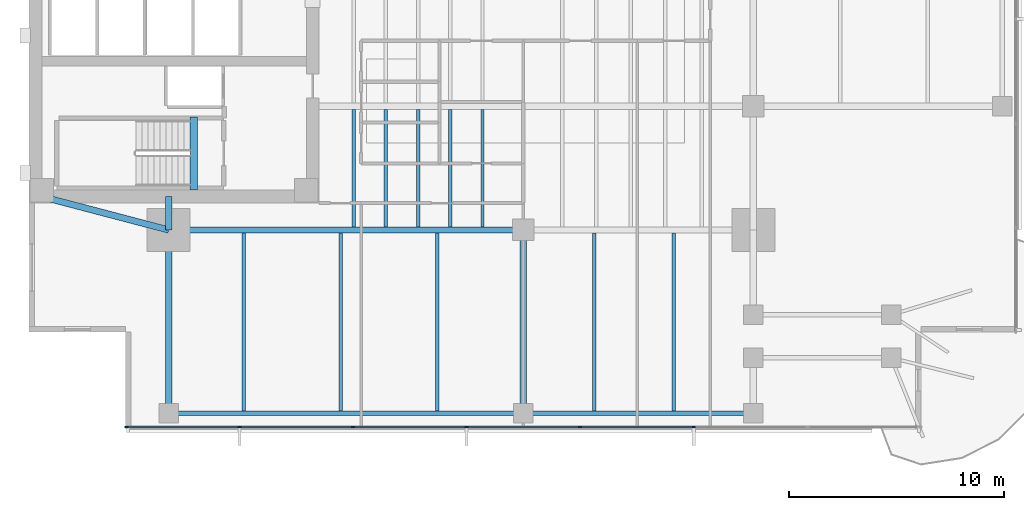
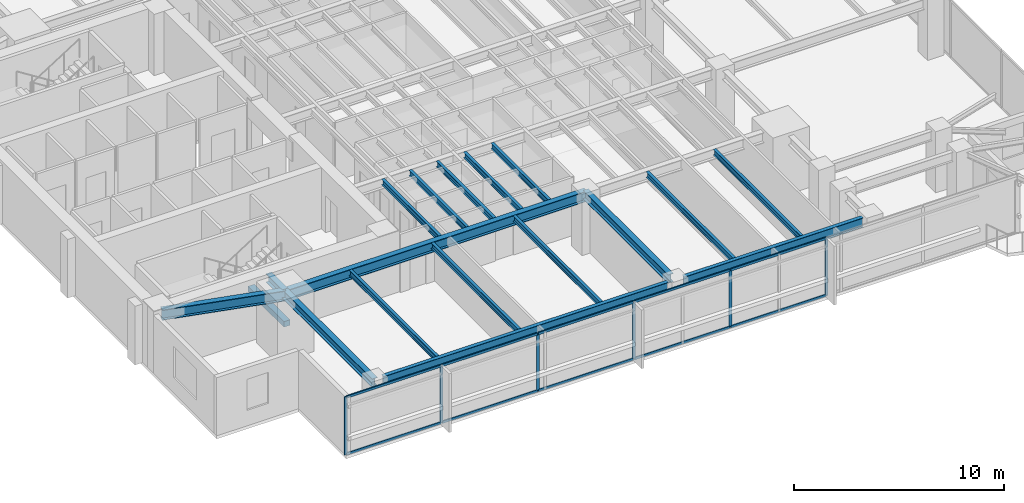
# One storey, part 2 of 14: 18 beams, 16 members, 1 element without a shape of its own.
"""IFC4 building model written with IfcOpenShell, lengths in metres."""

from ifc_helpers import new_model, si_unit, direction, frame, origin, origin_2d, place, context, subcontext, project, spatial, rectangle, i_section, extrude, material, layer, layer_set, material_profile, profile_set, type_object, element, aggregate, save


model = new_model("IFC4")

# Units and contexts
model_context = context("Model", 3, precision=1e-05, world=origin(), true_north=direction((0.0, 1.0)))
body_context = subcontext(model_context, "Body", "Model", "MODEL_VIEW")
ifc_project = project(units=[si_unit("LENGTHUNIT", "METRE"), si_unit("AREAUNIT", "SQUARE_METRE"), si_unit("VOLUMEUNIT", "CUBIC_METRE"), si_unit("PLANEANGLEUNIT", "RADIAN"), si_unit("MASSUNIT", "GRAM", prefix="KILO")], contexts=[model_context])

# Site, building, storey
site_placement = place(None, origin())
site = spatial("IfcSite", under=ifc_project, at=site_placement, CompositionType="ELEMENT")
building_placement = place(site_placement, origin())
building = spatial("IfcBuilding", under=site, at=building_placement, Name="Kinhvarn Gate Tower", CompositionType="ELEMENT")
storey_placement = place(building_placement, frame((0.0, 0.0, 127.10009765625)))
storey = spatial("IfcBuildingStorey", under=building, at=storey_placement, Name="L33", CompositionType="ELEMENT", Elevation=127.10009765625)

# Beam
ifc_material_1 = material(Name="Concrete C50/60", Category="concrete")
ifc_material_profile_1 = material_profile(ifc_material_1, rectangle(XDim=0.340087890625, YDim=0.320068359375, at=origin_2d()), Name="RC 340x320")
ifc_profile_set_1 = profile_set([ifc_material_profile_1], Name="Concrete C50/60")
beam_type_1 = type_object("IfcBeamType", Name="BM-LND-500", PredefinedType="BEAM", material=ifc_profile_set_1)
beam_1_placement = place(storey_placement, frame((12.1650390625, 14.60009765625, -0.16015625), z_axis=(0.0, 1.0, 0.0), x_axis=(-1.0, 0.0, 0.0)))
element("IfcBeam", 1, at=beam_1_placement, inside=storey, type_object=beam_type_1, Name="Stair ST1 Landing Nosing Beam (L33)", PredefinedType="BEAM", context=body_context, shape_type="SweptSolid", body=[
    extrude(rectangle(XDim=0.340087890625, YDim=0.320068359375, at=origin_2d()), origin(), (0.0, 0.0, 1.0), 3.39990234375),
])

# Curtain wall, members
ifc_material_2 = material(Name="Anodised aluminium AW-6063", Category="aluminium")
ifc_layer = layer(ifc_material_2, 0.179931640625)
ifc_layer_set = layer_set([ifc_layer], Name="Anodised aluminium AW-6063")
curtain_wall_type = type_object("IfcCurtainWallType", Name="CW-SYS-3", PredefinedType="NOTDEFINED", material=ifc_layer_set)
curtain_wall_placement = place(storey_placement, origin())
curtain_wall = element("IfcCurtainWall", 2, at=curtain_wall_placement, inside=storey, type_object=curtain_wall_type, Name="Curtain Wall CW3 (L33)", PredefinedType="NOTDEFINED")
ifc_material_profile_2 = material_profile(ifc_material_2, rectangle(XDim=0.06494140625, YDim=0.159912109375, at=origin_2d()), Name="ALU 65x160")
ifc_profile_set_2 = profile_set([ifc_material_profile_2], Name="Anodised aluminium AW-6063")
member_type_1 = type_object("IfcMemberType", Name="CW-MUL-160", PredefinedType="MULLION", material=ifc_profile_set_2)
member_1_placement = place(storey_placement, frame((9.032470703125, 3.590087890625, 0.0), z_axis=(0.0, 0.0, 1.0), x_axis=(0.0, 1.0, 0.0)))
member_1 = element("IfcMember", 3, at=member_1_placement, type_object=member_type_1, Name="CW3 mullion 1", PredefinedType="MULLION", context=body_context, shape_type="SweptSolid", body=[
    extrude(rectangle(XDim=0.06494140625, YDim=0.159912109375, at=origin_2d()), origin(), (0.0, 0.0, 1.0), 3.369873046875),
])
member_2_placement = place(storey_placement, frame((14.28564453125, 3.590087890625, 0.0), z_axis=(0.0, 0.0, 1.0), x_axis=(0.0, 1.0, 0.0)))
member_2 = element("IfcMember", 4, at=member_2_placement, type_object=member_type_1, Name="CW3 mullion 2", PredefinedType="MULLION", context=body_context, shape_type="SweptSolid", body=[
    extrude(rectangle(XDim=0.06494140625, YDim=0.159912109375, at=origin_2d()), origin(), (0.0, 0.0, 1.0), 3.369873046875),
])
member_3_placement = place(storey_placement, frame((19.571533203125, 3.590087890625, 0.0), z_axis=(0.0, 0.0, 1.0), x_axis=(0.0, 1.0, 0.0)))
member_3 = element("IfcMember", 5, at=member_3_placement, type_object=member_type_1, Name="CW3 mullion 3", PredefinedType="MULLION", context=body_context, shape_type="SweptSolid", body=[
    extrude(rectangle(XDim=0.06494140625, YDim=0.159912109375, at=origin_2d()), origin(), (0.0, 0.0, 1.0), 3.369873046875),
])
member_4_placement = place(storey_placement, frame((24.857177734375, 3.590087890625, 0.0), z_axis=(0.0, 0.0, 1.0), x_axis=(0.0, 1.0, 0.0)))
member_4 = element("IfcMember", 6, at=member_4_placement, type_object=member_type_1, Name="CW3 mullion 4", PredefinedType="MULLION", context=body_context, shape_type="SweptSolid", body=[
    extrude(rectangle(XDim=0.06494140625, YDim=0.159912109375, at=origin_2d()), origin(), (0.0, 0.0, 1.0), 3.369873046875),
])
member_5_placement = place(storey_placement, frame((30.142822265625, 3.590087890625, 0.0), z_axis=(0.0, 0.0, 1.0), x_axis=(0.0, 1.0, 0.0)))
member_5 = element("IfcMember", 7, at=member_5_placement, type_object=member_type_1, Name="CW3 mullion 5", PredefinedType="MULLION", context=body_context, shape_type="SweptSolid", body=[
    extrude(rectangle(XDim=0.06494140625, YDim=0.159912109375, at=origin_2d()), origin(), (0.0, 0.0, 1.0), 3.369873046875),
])
member_6_placement = place(storey_placement, frame((35.428466796875, 3.590087890625, 0.0), z_axis=(0.0, 0.0, 1.0), x_axis=(0.0, 1.0, 0.0)))
member_6 = element("IfcMember", 8, at=member_6_placement, type_object=member_type_1, Name="CW3 mullion 6", PredefinedType="MULLION", context=body_context, shape_type="SweptSolid", body=[
    extrude(rectangle(XDim=0.06494140625, YDim=0.159912109375, at=origin_2d()), origin(), (0.0, 0.0, 1.0), 3.369873046875),
])
ifc_material_profile_3 = material_profile(ifc_material_2, rectangle(XDim=0.070068359375, YDim=0.139892578125, at=origin_2d()), Name="ALU 70x140")
ifc_profile_set_3 = profile_set([ifc_material_profile_3], Name="Anodised aluminium AW-6063")
member_type_2 = type_object("IfcMemberType", Name="CW-TRN-140", PredefinedType="USERDEFINED", material=ifc_profile_set_3)
member_7_placement = place(storey_placement, frame((9.06494140625, 3.590087890625, 0.034912109375), z_axis=(1.0, 0.0, 0.0), x_axis=(0.0, 1.0, 0.0)))
member_7 = element("IfcMember", 9, at=member_7_placement, type_object=member_type_2, Name="CW3 transom 1.1", ObjectType="TRANSOM", PredefinedType="USERDEFINED", context=body_context, shape_type="SweptSolid", body=[
    extrude(rectangle(XDim=0.070068359375, YDim=0.139892578125, at=origin_2d()), origin(), (0.0, 0.0, 1.0), 5.188232421875),
])
member_8_placement = place(storey_placement, frame((9.06494140625, 3.590087890625, 3.3349609375), z_axis=(1.0, 0.0, 0.0), x_axis=(0.0, 1.0, 0.0)))
member_8 = element("IfcMember", 10, at=member_8_placement, type_object=member_type_2, Name="CW3 transom 1.2", ObjectType="TRANSOM", PredefinedType="USERDEFINED", context=body_context, shape_type="SweptSolid", body=[
    extrude(rectangle(XDim=0.070068359375, YDim=0.139892578125, at=origin_2d()), origin(), (0.0, 0.0, 1.0), 5.188232421875),
])
member_9_placement = place(storey_placement, frame((14.318115234375, 3.590087890625, 0.034912109375), z_axis=(1.0, 0.0, 0.0), x_axis=(0.0, 1.0, 0.0)))
member_9 = element("IfcMember", 11, at=member_9_placement, type_object=member_type_2, Name="CW3 transom 2.1", ObjectType="TRANSOM", PredefinedType="USERDEFINED", context=body_context, shape_type="SweptSolid", body=[
    extrude(rectangle(XDim=0.070068359375, YDim=0.139892578125, at=origin_2d()), origin(), (0.0, 0.0, 1.0), 5.220703125),
])
member_10_placement = place(storey_placement, frame((14.318115234375, 3.590087890625, 3.3349609375), z_axis=(1.0, 0.0, 0.0), x_axis=(0.0, 1.0, 0.0)))
member_10 = element("IfcMember", 12, at=member_10_placement, type_object=member_type_2, Name="CW3 transom 2.2", ObjectType="TRANSOM", PredefinedType="USERDEFINED", context=body_context, shape_type="SweptSolid", body=[
    extrude(rectangle(XDim=0.070068359375, YDim=0.139892578125, at=origin_2d()), origin(), (0.0, 0.0, 1.0), 5.220703125),
])
member_11_placement = place(storey_placement, frame((19.60400390625, 3.590087890625, 0.034912109375), z_axis=(1.0, 0.0, 0.0), x_axis=(0.0, 1.0, 0.0)))
member_11 = element("IfcMember", 13, at=member_11_placement, type_object=member_type_2, Name="CW3 transom 3.1", ObjectType="TRANSOM", PredefinedType="USERDEFINED", context=body_context, shape_type="SweptSolid", body=[
    extrude(rectangle(XDim=0.070068359375, YDim=0.139892578125, at=origin_2d()), origin(), (0.0, 0.0, 1.0), 5.220703125),
])
member_12_placement = place(storey_placement, frame((19.60400390625, 3.590087890625, 3.3349609375), z_axis=(1.0, 0.0, 0.0), x_axis=(0.0, 1.0, 0.0)))
member_12 = element("IfcMember", 14, at=member_12_placement, type_object=member_type_2, Name="CW3 transom 3.2", ObjectType="TRANSOM", PredefinedType="USERDEFINED", context=body_context, shape_type="SweptSolid", body=[
    extrude(rectangle(XDim=0.070068359375, YDim=0.139892578125, at=origin_2d()), origin(), (0.0, 0.0, 1.0), 5.220703125),
])
member_13_placement = place(storey_placement, frame((24.8896484375, 3.590087890625, 0.034912109375), z_axis=(1.0, 0.0, 0.0), x_axis=(0.0, 1.0, 0.0)))
member_13 = element("IfcMember", 15, at=member_13_placement, type_object=member_type_2, Name="CW3 transom 4.1", ObjectType="TRANSOM", PredefinedType="USERDEFINED", context=body_context, shape_type="SweptSolid", body=[
    extrude(rectangle(XDim=0.070068359375, YDim=0.139892578125, at=origin_2d()), origin(), (0.0, 0.0, 1.0), 5.220703125),
])
member_14_placement = place(storey_placement, frame((24.8896484375, 3.590087890625, 3.3349609375), z_axis=(1.0, 0.0, 0.0), x_axis=(0.0, 1.0, 0.0)))
member_14 = element("IfcMember", 16, at=member_14_placement, type_object=member_type_2, Name="CW3 transom 4.2", ObjectType="TRANSOM", PredefinedType="USERDEFINED", context=body_context, shape_type="SweptSolid", body=[
    extrude(rectangle(XDim=0.070068359375, YDim=0.139892578125, at=origin_2d()), origin(), (0.0, 0.0, 1.0), 5.220703125),
])
member_15_placement = place(storey_placement, frame((30.17529296875, 3.590087890625, 0.034912109375), z_axis=(1.0, 0.0, 0.0), x_axis=(0.0, 1.0, 0.0)))
member_15 = element("IfcMember", 17, at=member_15_placement, type_object=member_type_2, Name="CW3 transom 5.1", ObjectType="TRANSOM", PredefinedType="USERDEFINED", context=body_context, shape_type="SweptSolid", body=[
    extrude(rectangle(XDim=0.070068359375, YDim=0.139892578125, at=origin_2d()), origin(), (0.0, 0.0, 1.0), 5.220703125),
])
member_16_placement = place(storey_placement, frame((30.17529296875, 3.590087890625, 3.3349609375), z_axis=(1.0, 0.0, 0.0), x_axis=(0.0, 1.0, 0.0)))
member_16 = element("IfcMember", 18, at=member_16_placement, type_object=member_type_2, Name="CW3 transom 5.2", ObjectType="TRANSOM", PredefinedType="USERDEFINED", context=body_context, shape_type="SweptSolid", body=[
    extrude(rectangle(XDim=0.070068359375, YDim=0.139892578125, at=origin_2d()), origin(), (0.0, 0.0, 1.0), 5.220703125),
])
aggregate(curtain_wall, [member_1, member_2, member_3, member_4, member_5, member_6, member_7, member_8, member_9, member_10, member_11, member_12, member_13, member_14, member_15, member_16])

# Beams
ifc_material_3 = material(Name="Steel S355", Category="steel")
ifc_material_profile_4 = material_profile(ifc_material_3, i_section(OverallWidth=0.300048828125, OverallDepth=0.5, WebThickness=0.014404296875, FlangeThickness=0.028076171875, at=origin_2d()), Name="HEB 500")
ifc_profile_set_4 = profile_set([ifc_material_profile_4], Name="Steel S355")
beam_type_2 = type_object("IfcBeamType", Name="STL-HEB500", PredefinedType="BEAM", material=ifc_profile_set_4)
beam_2_placement = place(storey_placement, frame((11.0, 4.219970703125, 3.119873046875), z_axis=(0.0, 1.0, 0.0), x_axis=(-1.0, 0.0, 0.0)))
element("IfcBeam", 19, at=beam_2_placement, inside=storey, type_object=beam_type_2, Name="Floor Beam PG-14 (L33 MCW-S)", PredefinedType="BEAM", context=body_context, shape_type="SweptSolid", body=[
    extrude(i_section(OverallWidth=0.300048828125, OverallDepth=0.5, WebThickness=0.014404296875, FlangeThickness=0.028076171875, at=origin_2d()), origin(), (0.0, 0.0, 1.0), 8.530029296875),
])
beam_3_placement = place(storey_placement, frame((11.0, 12.75, 3.119873046875), z_axis=(0.0, 1.0, 0.0), x_axis=(-1.0, 0.0, 0.0)))
element("IfcBeam", 20, at=beam_3_placement, inside=storey, type_object=beam_type_2, Name="Floor Beam PG-14 (L33 MCW-CS)", PredefinedType="BEAM", context=body_context, shape_type="SweptSolid", body=[
    extrude(i_section(OverallWidth=0.300048828125, OverallDepth=0.5, WebThickness=0.014404296875, FlangeThickness=0.028076171875, at=origin_2d()), origin(), (0.0, 0.0, 1.0), 1.550048828125),
])
beam_4_placement = place(storey_placement, frame((27.5, 4.655029296875, 3.119873046875), z_axis=(0.0, 1.0, 0.0), x_axis=(-1.0, 0.0, 0.0)))
element("IfcBeam", 21, at=beam_4_placement, inside=storey, type_object=beam_type_2, Name="Floor Beam PG-14 (L33 SP27-S-TIE)", PredefinedType="BEAM", context=body_context, shape_type="SweptSolid", body=[
    extrude(i_section(OverallWidth=0.300048828125, OverallDepth=0.5, WebThickness=0.014404296875, FlangeThickness=0.028076171875, at=origin_2d()), origin(), (0.0, 0.0, 1.0), 8.094970703125),
])
ifc_material_profile_5 = material_profile(ifc_material_3, i_section(OverallWidth=0.300048828125, OverallDepth=0.60009765625, WebThickness=0.015380859375, FlangeThickness=0.030029296875, at=origin_2d()), Name="HEB 600")
ifc_profile_set_5 = profile_set([ifc_material_profile_5], Name="Steel S355")
beam_type_3 = type_object("IfcBeamType", Name="STL-HEB600", PredefinedType="BEAM", material=ifc_profile_set_5)
beam_5_placement = place(storey_placement, frame((11.0, 12.75, 3.06982421875), z_axis=(1.0, 0.0, 0.0), x_axis=(0.0, 1.0, 0.0)))
element("IfcBeam", 22, at=beam_5_placement, inside=storey, type_object=beam_type_3, Name="Floor Beam PG-16 (L33 MG-S1)", PredefinedType="BEAM", context=body_context, shape_type="SweptSolid", body=[
    extrude(i_section(OverallWidth=0.300048828125, OverallDepth=0.60009765625, WebThickness=0.015380859375, FlangeThickness=0.030029296875, at=origin_2d()), origin(), (0.0, 0.0, 1.0), 16.5),
])
beam_6_placement = place(storey_placement, frame((5.10009765625, 14.300048828125, 3.06982421875), z_axis=(0.967177623957, -0.254101246979, 0.0), x_axis=(0.254101246979, 0.967177623957, 0.0)))
element("IfcBeam", 23, at=beam_6_placement, inside=storey, type_object=beam_type_3, Name="Floor Beam PG-16 (L33 MG-SW-DIAG)", PredefinedType="BEAM", context=body_context, shape_type="SweptSolid", body=[
    extrude(i_section(OverallWidth=0.300048828125, OverallDepth=0.60009765625, WebThickness=0.015380859375, FlangeThickness=0.030029296875, at=origin_2d()), origin(), (0.0, 0.0, 1.0), 6.10009765625),
])
ifc_material_profile_6 = material_profile(ifc_material_3, i_section(OverallWidth=0.159912109375, OverallDepth=0.330078125, WebThickness=0.007568359375, FlangeThickness=0.011474609375, at=origin_2d()), Name="IPE 330")
ifc_profile_set_6 = profile_set([ifc_material_profile_6], Name="Steel S355")
beam_type_4 = type_object("IfcBeamType", Name="STL-IPE330", PredefinedType="JOIST", material=ifc_profile_set_6)
for number, where, z_axis, x_axis, name in (
    (24, (19.60009765625, 12.89990234375, 3.204833984375), (0.0, 1.0, 0.0), (-1.0, 0.0, 0.0), "Floor Joist SB-03 (L33 JC-X196-0)"),
    (25, (21.10009765625, 12.89990234375, 3.204833984375), (0.0, 1.0, 0.0), (-1.0, 0.0, 0.0), "Floor Joist SB-03 (L33 JC-X211-0)"),
    (26, (22.60009765625, 12.89990234375, 3.204833984375), (0.0, 1.0, 0.0), (-1.0, 0.0, 0.0), "Floor Joist SB-03 (L33 JC-X226-0)"),
    (27, (24.10009765625, 12.89990234375, 3.204833984375), (0.0, 1.0, 0.0), (-1.0, 0.0, 0.0), "Floor Joist SB-03 (L33 JC-X241-0)"),
    (28, (25.60009765625, 12.89990234375, 3.204833984375), (0.0, 1.0, 0.0), (-1.0, 0.0, 0.0), "Floor Joist SB-03 (L33 JC-X256-0)"),
):
    element("IfcBeam", number, at=place(storey_placement, frame(where, z_axis=z_axis, x_axis=x_axis)), inside=storey, type_object=beam_type_4, Name=name, PredefinedType="JOIST", context=body_context, shape_type="SweptSolid", body=[
        extrude(i_section(OverallWidth=0.159912109375, OverallDepth=0.330078125, WebThickness=0.007568359375, FlangeThickness=0.011474609375, at=origin_2d()), origin(), (0.0, 0.0, 1.0), 5.4501953125),
    ])
for number, where, z_axis, x_axis, name in (
    (29, (14.5, 4.324951171875, 3.204833984375), (0.0, 1.0, 0.0), (-1.0, 0.0, 0.0), "Floor Joist SB-03 (L33 JS-X145)"),
    (30, (19.0, 4.324951171875, 3.204833984375), (0.0, 1.0, 0.0), (-1.0, 0.0, 0.0), "Floor Joist SB-03 (L33 JS-X190)"),
    (31, (23.5, 4.324951171875, 3.204833984375), (0.0, 1.0, 0.0), (-1.0, 0.0, 0.0), "Floor Joist SB-03 (L33 JS-X235)"),
    (32, (30.800048828125, 4.324951171875, 3.204833984375), (0.0, 1.0, 0.0), (-1.0, 0.0, 0.0), "Floor Joist SB-03 (L33 JS-X308)"),
    (33, (34.5, 4.324951171875, 3.204833984375), (0.0, 1.0, 0.0), (-1.0, 0.0, 0.0), "Floor Joist SB-03 (L33 JS-X345)"),
):
    element("IfcBeam", number, at=place(storey_placement, frame(where, z_axis=z_axis, x_axis=x_axis)), inside=storey, type_object=beam_type_4, Name=name, PredefinedType="JOIST", context=body_context, shape_type="SweptSolid", body=[
        extrude(i_section(OverallWidth=0.159912109375, OverallDepth=0.330078125, WebThickness=0.007568359375, FlangeThickness=0.011474609375, at=origin_2d()), origin(), (0.0, 0.0, 1.0), 8.275146484375),
    ])
ifc_material_profile_7 = material_profile(ifc_material_3, i_section(OverallWidth=0.2099609375, OverallDepth=0.550048828125, WebThickness=0.010986328125, FlangeThickness=0.01708984375, at=origin_2d()), Name="IPE 550")
ifc_profile_set_7 = profile_set([ifc_material_profile_7], Name="Steel S355")
beam_type_5 = type_object("IfcBeamType", Name="STL-IPE550", PredefinedType="SPANDREL", material=ifc_profile_set_7)
beam_7_placement = place(storey_placement, frame((11.43505859375, 4.219970703125, 3.094970703125), z_axis=(1.0, 0.0, 0.0), x_axis=(0.0, 1.0, 0.0)))
element("IfcBeam", 34, at=beam_7_placement, inside=storey, type_object=beam_type_5, Name="Floor Spandrel SB-08 (L33 SP-S1)", PredefinedType="SPANDREL", context=body_context, shape_type="SweptSolid", body=[
    extrude(i_section(OverallWidth=0.2099609375, OverallDepth=0.550048828125, WebThickness=0.010986328125, FlangeThickness=0.01708984375, at=origin_2d()), origin(), (0.0, 0.0, 1.0), 15.6298828125),
])
beam_8_placement = place(storey_placement, frame((27.93505859375, 4.219970703125, 3.094970703125), z_axis=(1.0, 0.0, 0.0), x_axis=(0.0, 1.0, 0.0)))
element("IfcBeam", 35, at=beam_8_placement, inside=storey, type_object=beam_type_5, Name="Floor Spandrel SB-08 (L33 SP-S2)", PredefinedType="SPANDREL", context=body_context, shape_type="SweptSolid", body=[
    extrude(i_section(OverallWidth=0.2099609375, OverallDepth=0.550048828125, WebThickness=0.010986328125, FlangeThickness=0.01708984375, at=origin_2d()), origin(), (0.0, 0.0, 1.0), 9.829833984375),
])

save(model, "model.ifc")
